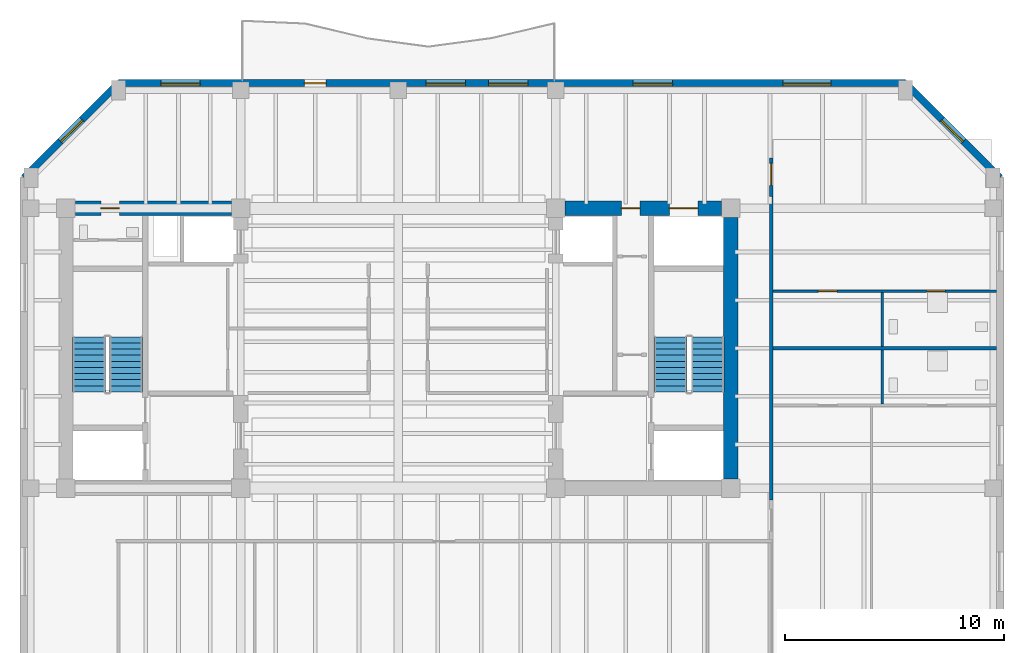
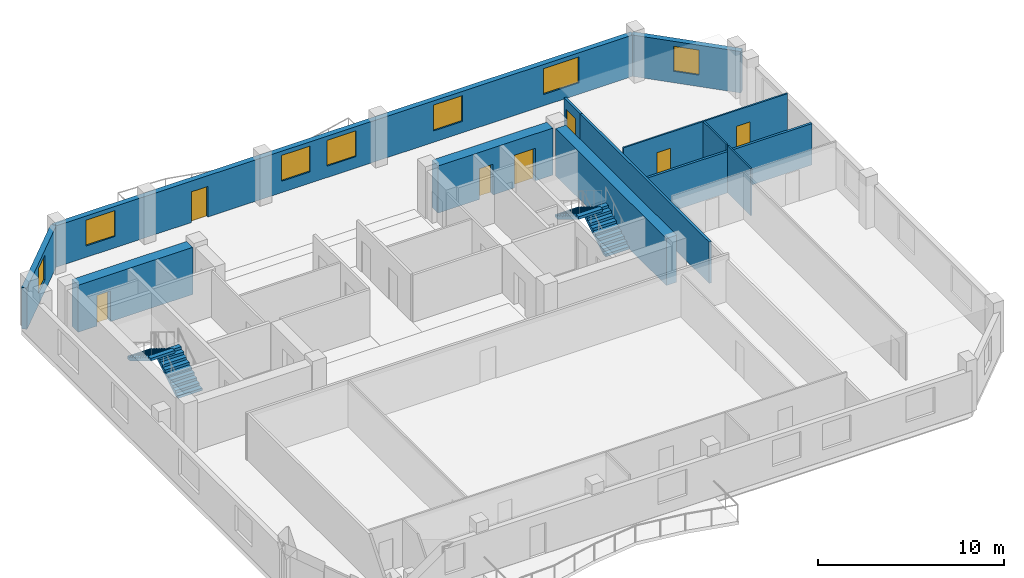
# One storey, part 5 of 9: 12 walls, 7 doors, 7 windows, 4 stair flights, 14 openings, 2 elements without a shape of their own.
"""IFC4 building model written with IfcOpenShell, lengths in metres."""

from ifc_helpers import new_model, si_unit, direction, frame, frame_2d, origin, place, context, subcontext, project, spatial, polyline, rectangle, outline, extrude, material, layer, layer_set, type_object, element, fill, aggregate, save


model = new_model("IFC4")

# Units and contexts
model_context = context("Model", 3, precision=1e-05, world=origin(), true_north=direction((0.0, 1.0)))
body_context = subcontext(model_context, "Body", "Model", "MODEL_VIEW")
ifc_project = project(units=[si_unit("LENGTHUNIT", "METRE"), si_unit("AREAUNIT", "SQUARE_METRE"), si_unit("VOLUMEUNIT", "CUBIC_METRE"), si_unit("PLANEANGLEUNIT", "RADIAN"), si_unit("MASSUNIT", "GRAM", prefix="KILO")], contexts=[model_context])

# Site, building, storey
site_placement = place(None, origin())
site = spatial("IfcSite", under=ifc_project, at=site_placement, CompositionType="ELEMENT")
building_placement = place(site_placement, origin())
building = spatial("IfcBuilding", under=site, at=building_placement, Name="Kranthara Brick Stack", CompositionType="ELEMENT")
storey_placement = place(building_placement, frame((0.0, 0.0, 238.10009765625)))
storey = spatial("IfcBuildingStorey", under=building, at=storey_placement, Name="L62", CompositionType="ELEMENT", Elevation=238.10009765625)

# Wall, opening, window
ifc_material_1 = material(Name="Warm buff clay brick masonry M15", Category="masonry")
ifc_layer_1 = layer(ifc_material_1, 0.320068359375)
ifc_layer_set_1 = layer_set([ifc_layer_1], Name="Warm buff clay brick masonry M15")
wall_type_1 = type_object("IfcWallType", Name="WL-BRK-UPPR-320", PredefinedType="STANDARD", material=ifc_layer_set_1)
wall_1_placement = place(storey_placement, frame((10.8798828125, 35.0, 0.0), z_axis=(0.0, 0.0, 1.0), x_axis=(0.707106781187, 0.707106781187, 0.0)))
wall_1 = element("IfcWall", 1, at=wall_1_placement, inside=storey, type_object=wall_type_1, Name="L62 Exterior Brick Facade Wall NW 1", PredefinedType="STANDARD", context=body_context, shape_type="SweptSolid", body=[
    extrude(rectangle(XDim=6.109619140625, YDim=0.320068359375, at=frame_2d((3.0546875, 0.0))), origin(), (0.0, 0.0, 1.0), 2.724853515625),
])
opening_1_placement = place(wall_1_placement, frame((2.35498046875, 0.0, 0.75)))
opening_1 = element("IfcOpeningElement", 2, at=opening_1_placement, cuts=wall_1, Name="Opening WN10", PredefinedType="OPENING", context=body_context, shape_type="SweptSolid", body=[
    extrude(rectangle(XDim=1.39990234375, YDim=1.64990234375, at=frame_2d((0.699951171875, 0.824951171875))), frame((0.0, 0.169921875, 0.0), z_axis=(0.0, -1.0, 0.0), x_axis=(1.0, 0.0, 0.0)), (0.0, 0.0, 1.0), 0.340087890625),
])
ifc_material_2 = material(Name="Double-glazed low-E solar control glass", Category="glass")
window_type_1 = type_object("IfcWindowType", Name="WN-CHM-1400x1750", PartitioningType="SINGLE_PANEL", PredefinedType="WINDOW", material=ifc_material_2)
window_1_placement = place(opening_1_placement, origin())
window_1 = element("IfcWindow", 3, at=window_1_placement, inside=storey, type_object=window_type_1, Name="L62 NW Chamfer Corner Window", OverallHeight=1.64990234375, OverallWidth=1.39990234375, PartitioningType="SINGLE_PANEL", PredefinedType="WINDOW", context=body_context, shape_type="SweptSolid", body=[
    extrude(rectangle(XDim=1.39990234375, YDim=1.64990234375, at=frame_2d((0.699951171875, 0.824951171875))), frame((0.0, -0.010009765625, 0.0), z_axis=(0.0, -1.0, 0.0), x_axis=(1.0, 0.0, 0.0)), (0.0, 0.0, 1.0), 0.06005859375),
])
fill(opening_1, window_1)

# Wall, openings, door, windows
wall_2_placement = place(storey_placement, frame((15.199951171875, 39.320068359375, 0.0), z_axis=(0.0, 0.0, 1.0), x_axis=(1.0, 0.0, 0.0)))
wall_2 = element("IfcWall", 4, at=wall_2_placement, inside=storey, type_object=wall_type_1, Name="L62 Exterior Brick Facade Wall NORTH 1", PredefinedType="STANDARD", context=body_context, shape_type="SweptSolid", body=[
    extrude(rectangle(XDim=36.0, YDim=0.320068359375, at=frame_2d((18.0, 0.0))), origin(), (0.0, 0.0, 1.0), 2.724853515625),
])
opening_2_placement = place(wall_2_placement, frame((8.5, 0.0, 0.0)))
opening_2 = element("IfcOpeningElement", 5, at=opening_2_placement, cuts=wall_2, Name="Opening D03", PredefinedType="OPENING", context=body_context, shape_type="SweptSolid", body=[
    extrude(rectangle(XDim=1.0, YDim=2.02001953125, at=frame_2d((0.5, 1.010009765625))), frame((0.0, 0.169921875, 0.0), z_axis=(0.0, -1.0, 0.0), x_axis=(1.0, 0.0, 0.0)), (0.0, 0.0, 1.0), 0.340087890625),
])
opening_3_placement = place(wall_2_placement, frame((1.93798828125, 0.0, 0.75)))
opening_3 = element("IfcOpeningElement", 6, at=opening_3_placement, cuts=wall_2, Name="Opening WN07", PredefinedType="OPENING", context=body_context, shape_type="SweptSolid", body=[
    extrude(rectangle(XDim=1.800048828125, YDim=1.699951171875, at=frame_2d((0.89990234375, 0.85009765625))), frame((0.0, 0.169921875, 0.0), z_axis=(0.0, -1.0, 0.0), x_axis=(1.0, 0.0, 0.0)), (0.0, 0.0, 1.0), 0.340087890625),
])
opening_4_placement = place(wall_2_placement, frame((14.072021484375, 0.0, 0.75)))
opening_4 = element("IfcOpeningElement", 7, at=opening_4_placement, cuts=wall_2, Name="Opening WN07", PredefinedType="OPENING", context=body_context, shape_type="SweptSolid", body=[
    extrude(rectangle(XDim=1.800048828125, YDim=1.699951171875, at=frame_2d((0.89990234375, 0.85009765625))), frame((0.0, 0.169921875, 0.0), z_axis=(0.0, -1.0, 0.0), x_axis=(1.0, 0.0, 0.0)), (0.0, 0.0, 1.0), 0.340087890625),
])
opening_5_placement = place(wall_2_placement, frame((16.927978515625, 0.0, 0.75)))
opening_5 = element("IfcOpeningElement", 8, at=opening_5_placement, cuts=wall_2, Name="Opening WN07", PredefinedType="OPENING", context=body_context, shape_type="SweptSolid", body=[
    extrude(rectangle(XDim=1.800048828125, YDim=1.699951171875, at=frame_2d((0.89990234375, 0.85009765625))), frame((0.0, 0.169921875, 0.0), z_axis=(0.0, -1.0, 0.0), x_axis=(1.0, 0.0, 0.0)), (0.0, 0.0, 1.0), 0.340087890625),
])
opening_6_placement = place(wall_2_placement, frame((23.541015625, 0.0, 0.75)))
opening_6 = element("IfcOpeningElement", 9, at=opening_6_placement, cuts=wall_2, Name="Opening WN07", PredefinedType="OPENING", context=body_context, shape_type="SweptSolid", body=[
    extrude(rectangle(XDim=1.800048828125, YDim=1.699951171875, at=frame_2d((0.89990234375, 0.85009765625))), frame((0.0, 0.169921875, 0.0), z_axis=(0.0, -1.0, 0.0), x_axis=(1.0, 0.0, 0.0)), (0.0, 0.0, 1.0), 0.340087890625),
])
opening_7_placement = place(wall_2_placement, frame((30.384033203125, 0.0, 0.75)))
opening_7 = element("IfcOpeningElement", 10, at=opening_7_placement, cuts=wall_2, Name="Opening WN08", PredefinedType="OPENING", context=body_context, shape_type="SweptSolid", body=[
    extrude(rectangle(XDim=2.199951171875, YDim=1.699951171875, at=frame_2d((1.10009765625, 0.85009765625))), frame((0.0, 0.169921875, 0.0), z_axis=(0.0, -1.0, 0.0), x_axis=(1.0, 0.0, 0.0)), (0.0, 0.0, 1.0), 0.340087890625),
])
ifc_material_3 = material(Name="Bronze anodised aluminium and laminated glass", Category="aluminium")
door_type_1 = type_object("IfcDoorType", Name="DR-BALC-1000", OperationType="NOTDEFINED", PredefinedType="DOOR", material=ifc_material_3)
door_1_placement = place(opening_2_placement, origin())
door_1 = element("IfcDoor", 11, at=door_1_placement, inside=storey, type_object=door_type_1, Name="L62 North Balcony Terrace Door", OperationType="SINGLE_SWING_RIGHT", OverallHeight=2.02001953125, OverallWidth=1.0, PredefinedType="DOOR", context=body_context, shape_type="SweptSolid", body=[
    extrude(rectangle(XDim=1.0, YDim=2.02001953125, at=frame_2d((0.5, 1.010009765625))), frame((0.0, 0.02490234375, 0.0), z_axis=(0.0, -1.0, 0.0), x_axis=(1.0, 0.0, 0.0)), (0.0, 0.0, 1.0), 0.050048828125),
])
fill(opening_2, door_1)
ifc_material_4 = material(Name="Double-glazed low-E solar control glass", Category="glass")
window_type_2 = type_object("IfcWindowType", Name="WN-RES-1800x1850", PartitioningType="DOUBLE_PANEL_VERTICAL", PredefinedType="WINDOW", material=ifc_material_4)
window_2_placement = place(opening_3_placement, origin())
window_2 = element("IfcWindow", 12, at=window_2_placement, inside=storey, type_object=window_type_2, Name="L62 North Deep-Set Brick Window 01", OverallHeight=1.699951171875, OverallWidth=1.800048828125, PartitioningType="SINGLE_PANEL", PredefinedType="WINDOW", context=body_context, shape_type="SweptSolid", body=[
    extrude(rectangle(XDim=1.800048828125, YDim=1.699951171875, at=frame_2d((0.89990234375, 0.85009765625))), frame((0.0, -0.010009765625, 0.0), z_axis=(0.0, -1.0, 0.0), x_axis=(1.0, 0.0, 0.0)), (0.0, 0.0, 1.0), 0.06005859375),
])
fill(opening_3, window_2)
window_3_placement = place(opening_4_placement, origin())
window_3 = element("IfcWindow", 13, at=window_3_placement, inside=storey, type_object=window_type_2, Name="L62 North Deep-Set Brick Window 02", OverallHeight=1.699951171875, OverallWidth=1.800048828125, PartitioningType="SINGLE_PANEL", PredefinedType="WINDOW", context=body_context, shape_type="SweptSolid", body=[
    extrude(rectangle(XDim=1.800048828125, YDim=1.699951171875, at=frame_2d((0.89990234375, 0.85009765625))), frame((0.0, -0.010009765625, 0.0), z_axis=(0.0, -1.0, 0.0), x_axis=(1.0, 0.0, 0.0)), (0.0, 0.0, 1.0), 0.06005859375),
])
fill(opening_4, window_3)
window_4_placement = place(opening_5_placement, origin())
window_4 = element("IfcWindow", 14, at=window_4_placement, inside=storey, type_object=window_type_2, Name="L62 North Deep-Set Brick Window 03", OverallHeight=1.699951171875, OverallWidth=1.800048828125, PartitioningType="SINGLE_PANEL", PredefinedType="WINDOW", context=body_context, shape_type="SweptSolid", body=[
    extrude(rectangle(XDim=1.800048828125, YDim=1.699951171875, at=frame_2d((0.89990234375, 0.85009765625))), frame((0.0, -0.010009765625, 0.0), z_axis=(0.0, -1.0, 0.0), x_axis=(1.0, 0.0, 0.0)), (0.0, 0.0, 1.0), 0.06005859375),
])
fill(opening_5, window_4)
window_5_placement = place(opening_6_placement, origin())
window_5 = element("IfcWindow", 15, at=window_5_placement, inside=storey, type_object=window_type_2, Name="L62 North Deep-Set Brick Window 04", OverallHeight=1.699951171875, OverallWidth=1.800048828125, PartitioningType="SINGLE_PANEL", PredefinedType="WINDOW", context=body_context, shape_type="SweptSolid", body=[
    extrude(rectangle(XDim=1.800048828125, YDim=1.699951171875, at=frame_2d((0.89990234375, 0.85009765625))), frame((0.0, -0.010009765625, 0.0), z_axis=(0.0, -1.0, 0.0), x_axis=(1.0, 0.0, 0.0)), (0.0, 0.0, 1.0), 0.06005859375),
])
fill(opening_6, window_5)
ifc_material_5 = material(Name="Double-glazed low-E solar control glass", Category="glass")
window_type_3 = type_object("IfcWindowType", Name="WN-RES-2200x1850", PartitioningType="TRIPLE_PANEL_VERTICAL", PredefinedType="WINDOW", material=ifc_material_5)
window_6_placement = place(opening_7_placement, origin())
window_6 = element("IfcWindow", 16, at=window_6_placement, inside=storey, type_object=window_type_3, Name="L62 North Deep-Set Brick Window 05", OverallHeight=1.699951171875, OverallWidth=2.199951171875, PartitioningType="SINGLE_PANEL", PredefinedType="WINDOW", context=body_context, shape_type="SweptSolid", body=[
    extrude(rectangle(XDim=2.199951171875, YDim=1.699951171875, at=frame_2d((1.10009765625, 0.85009765625))), frame((0.0, -0.010009765625, 0.0), z_axis=(0.0, -1.0, 0.0), x_axis=(1.0, 0.0, 0.0)), (0.0, 0.0, 1.0), 0.06005859375),
])
fill(opening_7, window_6)

# Wall, opening, window
wall_3_placement = place(storey_placement, frame((51.199951171875, 39.320068359375, 0.0), z_axis=(0.0, 0.0, 1.0), x_axis=(0.707106781187, -0.707106781187, 0.0)))
wall_3 = element("IfcWall", 17, at=wall_3_placement, inside=storey, type_object=wall_type_1, Name="L62 Exterior Brick Facade Wall NE 1", PredefinedType="STANDARD", context=body_context, shape_type="SweptSolid", body=[
    extrude(rectangle(XDim=6.109619140625, YDim=0.320068359375, at=frame_2d((3.0546875, 0.0))), origin(), (0.0, 0.0, 1.0), 2.724853515625),
])
opening_8_placement = place(wall_3_placement, frame((2.35498046875, 0.0, 0.75)))
opening_8 = element("IfcOpeningElement", 18, at=opening_8_placement, cuts=wall_3, Name="Opening WN10", PredefinedType="OPENING", context=body_context, shape_type="SweptSolid", body=[
    extrude(rectangle(XDim=1.39990234375, YDim=1.64990234375, at=frame_2d((0.699951171875, 0.824951171875))), frame((0.0, 0.169921875, 0.0), z_axis=(0.0, -1.0, 0.0), x_axis=(1.0, 0.0, 0.0)), (0.0, 0.0, 1.0), 0.340087890625),
])
window_7_placement = place(opening_8_placement, origin())
window_7 = element("IfcWindow", 19, at=window_7_placement, inside=storey, type_object=window_type_1, Name="L62 NE Chamfer Corner Window", OverallHeight=1.64990234375, OverallWidth=1.39990234375, PartitioningType="SINGLE_PANEL", PredefinedType="WINDOW", context=body_context, shape_type="SweptSolid", body=[
    extrude(rectangle(XDim=1.39990234375, YDim=1.64990234375, at=frame_2d((0.699951171875, 0.824951171875))), frame((0.0, -0.010009765625, 0.0), z_axis=(0.0, -1.0, 0.0), x_axis=(1.0, 0.0, 0.0)), (0.0, 0.0, 1.0), 0.06005859375),
])
fill(opening_8, window_7)

# Wall, opening, door
ifc_material_6 = material(Name="Concrete C60/75", Category="concrete")
ifc_layer_2 = layer(ifc_material_6, 0.64990234375)
ifc_layer_set_2 = layer_set([ifc_layer_2], Name="Concrete C60/75")
wall_type_2 = type_object("IfcWallType", Name="WL-CORE-650", PredefinedType="SHEAR", material=ifc_layer_set_2)
wall_4_placement = place(storey_placement, frame((13.22998046875, 33.60009765625, 0.0), z_axis=(0.0, 0.0, 1.0), x_axis=(1.0, 0.0, 0.0)))
wall_4 = element("IfcWall", 20, at=wall_4_placement, inside=storey, type_object=wall_type_2, Name="L62 West Core Shear Wall North", PredefinedType="SHEAR", context=body_context, shape_type="SweptSolid", body=[
    extrude(rectangle(XDim=7.14013671875, YDim=0.64990234375, at=frame_2d((3.570068359375, 0.0))), origin(), (0.0, 0.0, 1.0), 3.099853515625),
])
opening_9_placement = place(wall_4_placement, frame((1.169921875, 0.0, 0.0)))
opening_9 = element("IfcOpeningElement", 21, at=opening_9_placement, cuts=wall_4, Name="Opening D10", PredefinedType="OPENING", context=body_context, shape_type="SweptSolid", body=[
    extrude(rectangle(XDim=0.85009765625, YDim=2.02001953125, at=frame_2d((0.425048828125, 1.010009765625))), frame((0.0, 0.3349609375, 0.0), z_axis=(0.0, -1.0, 0.0), x_axis=(1.0, 0.0, 0.0)), (0.0, 0.0, 1.0), 0.669921875),
])
ifc_material_7 = material(Name="Solid-core hardwood timber leaf in steel frame", Category="steel")
door_type_2 = type_object("IfcDoorType", Name="DR-RSR-850", OperationType="NOTDEFINED", PredefinedType="DOOR", material=ifc_material_7)
door_2_placement = place(opening_9_placement, origin())
door_2 = element("IfcDoor", 22, at=door_2_placement, inside=storey, type_object=door_type_2, Name="L62 West Core Service Door 1", OperationType="SINGLE_SWING_LEFT", OverallHeight=2.02001953125, OverallWidth=0.85009765625, PredefinedType="DOOR", context=body_context, shape_type="SweptSolid", body=[
    extrude(rectangle(XDim=0.85009765625, YDim=2.02001953125, at=frame_2d((0.425048828125, 1.010009765625))), frame((0.0, 0.02490234375, 0.0), z_axis=(0.0, -1.0, 0.0), x_axis=(1.0, 0.0, 0.0)), (0.0, 0.0, 1.0), 0.050048828125),
])
fill(opening_9, door_2)

# Wall
wall_5_placement = place(storey_placement, frame((43.199951171875, 21.22998046875, 0.0), z_axis=(0.0, 0.0, 1.0), x_axis=(0.0, 1.0, 0.0)))
element("IfcWall", 23, at=wall_5_placement, inside=storey, type_object=wall_type_2, Name="L62 East Core Shear Wall East", PredefinedType="SHEAR", context=body_context, shape_type="SweptSolid", body=[
    extrude(rectangle(XDim=11.93994140625, YDim=0.64990234375, at=frame_2d((5.969970703125, 0.0))), origin(), (0.0, 0.0, 1.0), 3.099853515625),
])

# Wall, openings, doors
wall_6_placement = place(storey_placement, frame((35.6298828125, 33.60009765625, 0.0), z_axis=(0.0, 0.0, 1.0), x_axis=(1.0, 0.0, 0.0)))
wall_6 = element("IfcWall", 24, at=wall_6_placement, inside=storey, type_object=wall_type_2, Name="L62 East Core Shear Wall North", PredefinedType="SHEAR", context=body_context, shape_type="SweptSolid", body=[
    extrude(rectangle(XDim=7.14013671875, YDim=0.64990234375, at=frame_2d((3.570068359375, 0.0))), origin(), (0.0, 0.0, 1.0), 3.099853515625),
])
opening_10_placement = place(wall_6_placement, frame((4.77001953125, 0.0, 0.0)))
opening_10 = element("IfcOpeningElement", 25, at=opening_10_placement, cuts=wall_6, Name="Opening LD03", PredefinedType="OPENING", context=body_context, shape_type="SweptSolid", body=[
    extrude(rectangle(XDim=1.300048828125, YDim=2.14990234375, at=frame_2d((0.64990234375, 1.074951171875))), frame((0.0, 0.3349609375, 0.0), z_axis=(0.0, -1.0, 0.0), x_axis=(1.0, 0.0, 0.0)), (0.0, 0.0, 1.0), 0.669921875),
])
opening_11_placement = place(wall_6_placement, frame((2.570068359375, 0.0, 0.0)))
opening_11 = element("IfcOpeningElement", 26, at=opening_11_placement, cuts=wall_6, Name="Opening D10", PredefinedType="OPENING", context=body_context, shape_type="SweptSolid", body=[
    extrude(rectangle(XDim=0.85009765625, YDim=2.02001953125, at=frame_2d((0.425048828125, 1.010009765625))), frame((0.0, 0.3349609375, 0.0), z_axis=(0.0, -1.0, 0.0), x_axis=(1.0, 0.0, 0.0)), (0.0, 0.0, 1.0), 0.669921875),
])
ifc_material_8 = material(Name="Stainless steel sliding landing door", Category="steel")
door_type_3 = type_object("IfcDoorType", Name="DR-LD-SV1300", OperationType="DOUBLE_DOOR_SLIDING", PredefinedType="DOOR", material=ifc_material_8)
door_3_placement = place(opening_10_placement, origin())
door_3 = element("IfcDoor", 27, at=door_3_placement, inside=storey, type_object=door_type_3, Name="L62 Stretcher Service Lift SV-01 Landing Door", OperationType="DOUBLE_DOOR_SLIDING", OverallHeight=2.14990234375, OverallWidth=1.300048828125, PredefinedType="DOOR", context=body_context, shape_type="SweptSolid", body=[
    extrude(rectangle(XDim=1.300048828125, YDim=2.14990234375, at=frame_2d((0.64990234375, 1.074951171875))), frame((0.0, 0.02490234375, 0.0), z_axis=(0.0, -1.0, 0.0), x_axis=(1.0, 0.0, 0.0)), (0.0, 0.0, 1.0), 0.050048828125),
])
fill(opening_10, door_3)
door_4_placement = place(opening_11_placement, origin())
door_4 = element("IfcDoor", 28, at=door_4_placement, inside=storey, type_object=door_type_2, Name="L62 East Core Service Room Door", OperationType="SINGLE_SWING_LEFT", OverallHeight=2.02001953125, OverallWidth=0.85009765625, PredefinedType="DOOR", context=body_context, shape_type="SweptSolid", body=[
    extrude(rectangle(XDim=0.85009765625, YDim=2.02001953125, at=frame_2d((0.425048828125, 1.010009765625))), frame((0.0, 0.02490234375, 0.0), z_axis=(0.0, -1.0, 0.0), x_axis=(1.0, 0.0, 0.0)), (0.0, 0.0, 1.0), 0.050048828125),
])
fill(opening_11, door_4)

# Wall
ifc_material_9 = material(Name="Moisture-resistant wet-room partition", Category="other")
ifc_layer_3 = layer(ifc_material_9, 0.10009765625)
ifc_layer_set_3 = layer_set([ifc_layer_3], Name="Moisture-resistant wet-room partition")
wall_type_3 = type_object("IfcWallType", Name="WL-PART-100", PredefinedType="PARTITIONING", material=ifc_layer_set_3)
wall_7_placement = place(storey_placement, frame((50.135009765625, 24.64501953125, 0.0), z_axis=(0.0, 0.0, 1.0), x_axis=(0.0, 1.0, 0.0)))
element("IfcWall", 29, at=wall_7_placement, inside=storey, type_object=wall_type_3, Name="L62 Interior Partition 029", PredefinedType="PARTITIONING", context=body_context, shape_type="SweptSolid", body=[
    extrude(rectangle(XDim=2.47509765625, YDim=0.10009765625, at=frame_2d((1.237548828125, 0.0))), origin(), (0.0, 0.0, 1.0), 3.099853515625),
])

# Wall, openings, doors
wall_8_placement = place(storey_placement, frame((45.1298828125, 29.81005859375, 0.0), z_axis=(0.0, 0.0, 1.0), x_axis=(1.0, 0.0, 0.0)))
wall_8 = element("IfcWall", 30, at=wall_8_placement, inside=storey, type_object=wall_type_3, Name="L62 Interior Partition 030", PredefinedType="PARTITIONING", context=body_context, shape_type="SweptSolid", body=[
    extrude(rectangle(XDim=10.22509765625, YDim=0.10009765625, at=frame_2d((5.112548828125, 0.0))), origin(), (0.0, 0.0, 1.0), 3.099853515625),
])
opening_12_placement = place(wall_8_placement, frame((2.0830078125, 0.0, 0.0)))
opening_12 = element("IfcOpeningElement", 31, at=opening_12_placement, cuts=wall_8, Name="Opening D16", PredefinedType="OPENING", context=body_context, shape_type="SweptSolid", body=[
    extrude(rectangle(XDim=0.85009765625, YDim=2.050048828125, at=frame_2d((0.425048828125, 1.02490234375))), frame((0.0, 0.06005859375, 0.0), z_axis=(0.0, -1.0, 0.0), x_axis=(1.0, 0.0, 0.0)), (0.0, 0.0, 1.0), 0.1201171875),
])
opening_13_placement = place(wall_8_placement, frame((7.028076171875, 0.0, 0.0)))
opening_13 = element("IfcOpeningElement", 32, at=opening_13_placement, cuts=wall_8, Name="Opening D17", PredefinedType="OPENING", context=body_context, shape_type="SweptSolid", body=[
    extrude(rectangle(XDim=0.85009765625, YDim=2.050048828125, at=frame_2d((0.425048828125, 1.02490234375))), frame((0.0, 0.06005859375, 0.0), z_axis=(0.0, -1.0, 0.0), x_axis=(1.0, 0.0, 0.0)), (0.0, 0.0, 1.0), 0.1201171875),
])
ifc_material_10 = material(Name="Solid-core hardwood timber leaf in steel frame", Category="steel")
door_type_4 = type_object("IfcDoorType", Name="DR-INT-850", OperationType="NOTDEFINED", PredefinedType="DOOR", material=ifc_material_10)
door_5_placement = place(opening_12_placement, origin())
door_5 = element("IfcDoor", 33, at=door_5_placement, inside=storey, type_object=door_type_4, Name="L62 Unit L62C Kitchen 22", OperationType="SINGLE_SWING_RIGHT", OverallHeight=2.050048828125, OverallWidth=0.85009765625, PredefinedType="DOOR", context=body_context, shape_type="SweptSolid", body=[
    extrude(rectangle(XDim=0.85009765625, YDim=2.050048828125, at=frame_2d((0.425048828125, 1.02490234375))), frame((0.0, 0.02490234375, 0.0), z_axis=(0.0, -1.0, 0.0), x_axis=(1.0, 0.0, 0.0)), (0.0, 0.0, 1.0), 0.050048828125),
])
fill(opening_12, door_5)
ifc_material_11 = material(Name="Solid-core hardwood timber leaf in steel frame", Category="steel")
door_type_5 = type_object("IfcDoorType", Name="DR-WET-850", OperationType="NOTDEFINED", PredefinedType="DOOR", material=ifc_material_11)
door_6_placement = place(opening_13_placement, origin())
door_6 = element("IfcDoor", 34, at=door_6_placement, inside=storey, type_object=door_type_5, Name="L62 Unit L62C Bathroom 23", OperationType="SINGLE_SWING_LEFT", OverallHeight=2.050048828125, OverallWidth=0.85009765625, PredefinedType="DOOR", context=body_context, shape_type="SweptSolid", body=[
    extrude(rectangle(XDim=0.85009765625, YDim=2.050048828125, at=frame_2d((0.425048828125, 1.02490234375))), frame((0.0, 0.02490234375, 0.0), z_axis=(0.0, -1.0, 0.0), x_axis=(1.0, 0.0, 0.0)), (0.0, 0.0, 1.0), 0.050048828125),
])
fill(opening_13, door_6)

# Walls
wall_9_placement = place(storey_placement, frame((50.135009765625, 27.280029296875, 0.0), z_axis=(0.0, 0.0, 1.0), x_axis=(0.0, 1.0, 0.0)))
element("IfcWall", 35, at=wall_9_placement, inside=storey, type_object=wall_type_3, Name="L62 Interior Partition 031", PredefinedType="PARTITIONING", context=body_context, shape_type="SweptSolid", body=[
    extrude(rectangle(XDim=2.474853515625, YDim=0.10009765625, at=frame_2d((1.2373046875, 0.0))), origin(), (0.0, 0.0, 1.0), 3.099853515625),
])
ifc_material_12 = material(Name="Fire-rated gypsum board partition", Category="other")
ifc_layer_4 = layer(ifc_material_12, 0.14990234375)
ifc_layer_set_4 = layer_set([ifc_layer_4], Name="Fire-rated gypsum board partition")
wall_type_4 = type_object("IfcWallType", Name="WL-PART-150", PredefinedType="PARTITIONING", material=ifc_layer_set_4)
wall_10_placement = place(storey_placement, frame((45.050048828125, 20.25, 0.0), z_axis=(0.0, 0.0, 1.0), x_axis=(0.0, 1.0, 0.0)))
element("IfcWall", 36, at=wall_10_placement, inside=storey, type_object=wall_type_4, Name="L62 Interior Partition 023", PredefinedType="PARTITIONING", context=body_context, shape_type="SweptSolid", body=[
    extrude(rectangle(XDim=13.89990234375, YDim=0.14990234375, at=frame_2d((6.949951171875, 0.0))), origin(), (0.0, 0.0, 1.0), 2.724853515625),
])

# Wall, opening, door
wall_11_placement = place(storey_placement, frame((45.050048828125, 34.14990234375, 0.0), z_axis=(0.0, 0.0, 1.0), x_axis=(0.0, 1.0, 0.0)))
wall_11 = element("IfcWall", 37, at=wall_11_placement, inside=storey, type_object=wall_type_4, Name="L62 Interior Partition 024", PredefinedType="PARTITIONING", context=body_context, shape_type="SweptSolid", body=[
    extrude(rectangle(XDim=1.75, YDim=0.14990234375, at=frame_2d((0.875, 0.0))), origin(), (0.0, 0.0, 1.0), 2.724853515625),
])
opening_14_placement = place(wall_11_placement, frame((0.5, 0.0, 0.0)))
opening_14 = element("IfcOpeningElement", 38, at=opening_14_placement, cuts=wall_11, Name="Opening D08", PredefinedType="OPENING", context=body_context, shape_type="SweptSolid", body=[
    extrude(rectangle(XDim=1.0, YDim=2.10009765625, at=frame_2d((0.5, 1.050048828125))), frame((0.0, 0.0849609375, 0.0), z_axis=(0.0, -1.0, 0.0), x_axis=(1.0, 0.0, 0.0)), (0.0, 0.0, 1.0), 0.169921875),
])
ifc_material_13 = material(Name="Solid-core hardwood timber leaf in steel frame", Category="steel")
door_type_6 = type_object("IfcDoorType", Name="DR-FD-1000", OperationType="NOTDEFINED", PredefinedType="DOOR", material=ifc_material_13)
door_7_placement = place(opening_14_placement, origin())
door_7 = element("IfcDoor", 39, at=door_7_placement, inside=storey, type_object=door_type_6, Name="L62 Unit L62C Entrance 21", OperationType="SINGLE_SWING_LEFT", OverallHeight=2.10009765625, OverallWidth=1.0, PredefinedType="DOOR", context=body_context, shape_type="SweptSolid", body=[
    extrude(rectangle(XDim=1.0, YDim=2.10009765625, at=frame_2d((0.5, 1.050048828125))), frame((0.0, 0.02490234375, 0.0), z_axis=(0.0, -1.0, 0.0), x_axis=(1.0, 0.0, 0.0)), (0.0, 0.0, 1.0), 0.050048828125),
])
fill(opening_14, door_7)

# Wall
wall_12_placement = place(storey_placement, frame((45.1298828125, 27.199951171875, 0.0), z_axis=(0.0, 0.0, 1.0), x_axis=(1.0, 0.0, 0.0)))
element("IfcWall", 40, at=wall_12_placement, inside=storey, type_object=wall_type_4, Name="L62 Interior Partition 026", PredefinedType="PARTITIONING", context=body_context, shape_type="SweptSolid", body=[
    extrude(rectangle(XDim=10.22509765625, YDim=0.14990234375, at=frame_2d((5.112548828125, 0.0))), origin(), (0.0, 0.0, 1.0), 2.724853515625),
])

# Stair, stair flights
ifc_material_14 = material(Name="Concrete C45/55", Category="concrete")
stair_type = type_object("IfcStairType", Name="ST-CORE-20R", PredefinedType="HALF_TURN_STAIR", material=ifc_material_14)
stair_1_placement = place(storey_placement, origin())
stair_1 = element("IfcStair", 41, at=stair_1_placement, inside=storey, type_object=stair_type, Name="L62 West Core Protected Exit Stair ST01", PredefinedType="HALF_TURN_STAIR")
ifc_material_15 = material(Name="Concrete C45/55", Category="concrete")
stair_flight_type = type_object("IfcStairFlightType", Name="SFL-RC-20R", PredefinedType="STRAIGHT", material=ifc_material_15)
stair_flight_1_placement = place(storey_placement, frame((15.550048828125, 25.199951171875, 0.0), z_axis=(0.0, 0.0, 1.0), x_axis=(0.0, 1.0, 0.0)))
stair_flight_1 = element("IfcStairFlight", 42, at=stair_flight_1_placement, type_object=stair_flight_type, Name="ST01 flight 1", NumberOfRisers=10, NumberOfTreads=9, PredefinedType="STRAIGHT", RiserHeight=0.17, TreadLength=0.28, context=body_context, shape_type="SweptSolid", body=[
    extrude(outline(polyline([(0.0, 0.0), (0.0, 0.169921875), (0.280029296875, 0.169921875), (0.280029296875, 0.340087890625), (0.56005859375, 0.340087890625), (0.56005859375, 0.510009765625), (0.840087890625, 0.510009765625), (0.840087890625, 0.679931640625), (1.1201171875, 0.679931640625), (1.1201171875, 0.85009765625), (1.39990234375, 0.85009765625), (1.39990234375, 1.02001953125), (1.679931640625, 1.02001953125), (1.679931640625, 1.18994140625), (1.9599609375, 1.18994140625), (1.9599609375, 1.360107421875), (2.239990234375, 1.360107421875), (2.239990234375, 1.530029296875), (2.52001953125, 1.530029296875), (2.52001953125, 1.699951171875), (2.52001953125, 1.354736328125), (0.288818359375, 0.0), (0.0, 0.0)])), frame((0.0, 0.75, 0.0), z_axis=(0.0, -1.0, 0.0), x_axis=(1.0, 0.0, 0.0)), (0.0, 0.0, 1.0), 1.5),
])
stair_flight_2_placement = place(storey_placement, frame((13.85009765625, 27.719970703125, 1.699951171875), z_axis=(0.0, 0.0, 1.0), x_axis=(0.0, -1.0, 0.0)))
stair_flight_2 = element("IfcStairFlight", 43, at=stair_flight_2_placement, type_object=stair_flight_type, Name="ST01 flight 2", NumberOfRisers=10, NumberOfTreads=9, PredefinedType="STRAIGHT", RiserHeight=0.17, TreadLength=0.28, context=body_context, shape_type="SweptSolid", body=[
    extrude(outline(polyline([(0.0, 0.0), (0.0, 0.169921875), (0.280029296875, 0.169921875), (0.280029296875, 0.340087890625), (0.56005859375, 0.340087890625), (0.56005859375, 0.510009765625), (0.840087890625, 0.510009765625), (0.840087890625, 0.679931640625), (1.1201171875, 0.679931640625), (1.1201171875, 0.85009765625), (1.39990234375, 0.85009765625), (1.39990234375, 1.02001953125), (1.679931640625, 1.02001953125), (1.679931640625, 1.18994140625), (1.9599609375, 1.18994140625), (1.9599609375, 1.360107421875), (2.239990234375, 1.360107421875), (2.239990234375, 1.530029296875), (2.52001953125, 1.530029296875), (2.52001953125, 1.699951171875), (2.52001953125, 1.354736328125), (0.288818359375, 0.0), (0.0, 0.0)])), frame((0.0, 0.75, 0.0), z_axis=(0.0, -1.0, 0.0), x_axis=(1.0, 0.0, 0.0)), (0.0, 0.0, 1.0), 1.5),
])
aggregate(stair_1, [stair_flight_1, stair_flight_2])

stair_2_placement = place(storey_placement, origin())
stair_2 = element("IfcStair", 44, at=stair_2_placement, inside=storey, type_object=stair_type, Name="L62 East Core Protected Exit Stair ST02", PredefinedType="HALF_TURN_STAIR")
stair_flight_3_placement = place(storey_placement, frame((42.14990234375, 25.199951171875, 0.0), z_axis=(0.0, 0.0, 1.0), x_axis=(0.0, 1.0, 0.0)))
stair_flight_3 = element("IfcStairFlight", 45, at=stair_flight_3_placement, type_object=stair_flight_type, Name="ST02 flight 1", NumberOfRisers=10, NumberOfTreads=9, PredefinedType="STRAIGHT", RiserHeight=0.17, TreadLength=0.28, context=body_context, shape_type="SweptSolid", body=[
    extrude(outline(polyline([(0.0, 0.0), (0.0, 0.169921875), (0.280029296875, 0.169921875), (0.280029296875, 0.340087890625), (0.56005859375, 0.340087890625), (0.56005859375, 0.510009765625), (0.840087890625, 0.510009765625), (0.840087890625, 0.679931640625), (1.1201171875, 0.679931640625), (1.1201171875, 0.85009765625), (1.39990234375, 0.85009765625), (1.39990234375, 1.02001953125), (1.679931640625, 1.02001953125), (1.679931640625, 1.18994140625), (1.9599609375, 1.18994140625), (1.9599609375, 1.360107421875), (2.239990234375, 1.360107421875), (2.239990234375, 1.530029296875), (2.52001953125, 1.530029296875), (2.52001953125, 1.699951171875), (2.52001953125, 1.354736328125), (0.288818359375, 0.0), (0.0, 0.0)])), frame((0.0, 0.75, 0.0), z_axis=(0.0, -1.0, 0.0), x_axis=(1.0, 0.0, 0.0)), (0.0, 0.0, 1.0), 1.5),
])
stair_flight_4_placement = place(storey_placement, frame((40.449951171875, 27.719970703125, 1.699951171875), z_axis=(0.0, 0.0, 1.0), x_axis=(0.0, -1.0, 0.0)))
stair_flight_4 = element("IfcStairFlight", 46, at=stair_flight_4_placement, type_object=stair_flight_type, Name="ST02 flight 2", NumberOfRisers=10, NumberOfTreads=9, PredefinedType="STRAIGHT", RiserHeight=0.17, TreadLength=0.28, context=body_context, shape_type="SweptSolid", body=[
    extrude(outline(polyline([(0.0, 0.0), (0.0, 0.169921875), (0.280029296875, 0.169921875), (0.280029296875, 0.340087890625), (0.56005859375, 0.340087890625), (0.56005859375, 0.510009765625), (0.840087890625, 0.510009765625), (0.840087890625, 0.679931640625), (1.1201171875, 0.679931640625), (1.1201171875, 0.85009765625), (1.39990234375, 0.85009765625), (1.39990234375, 1.02001953125), (1.679931640625, 1.02001953125), (1.679931640625, 1.18994140625), (1.9599609375, 1.18994140625), (1.9599609375, 1.360107421875), (2.239990234375, 1.360107421875), (2.239990234375, 1.530029296875), (2.52001953125, 1.530029296875), (2.52001953125, 1.699951171875), (2.52001953125, 1.354736328125), (0.288818359375, 0.0), (0.0, 0.0)])), frame((0.0, 0.75, 0.0), z_axis=(0.0, -1.0, 0.0), x_axis=(1.0, 0.0, 0.0)), (0.0, 0.0, 1.0), 1.5),
])
aggregate(stair_2, [stair_flight_3, stair_flight_4])

save(model, "model.ifc")
